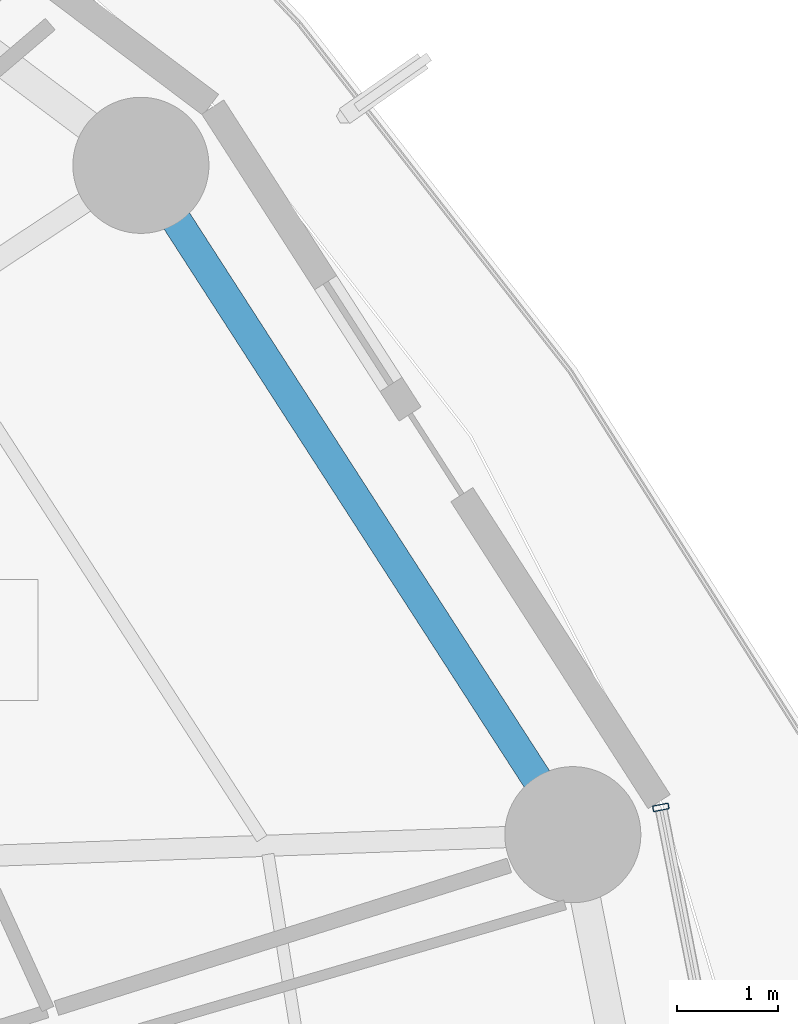
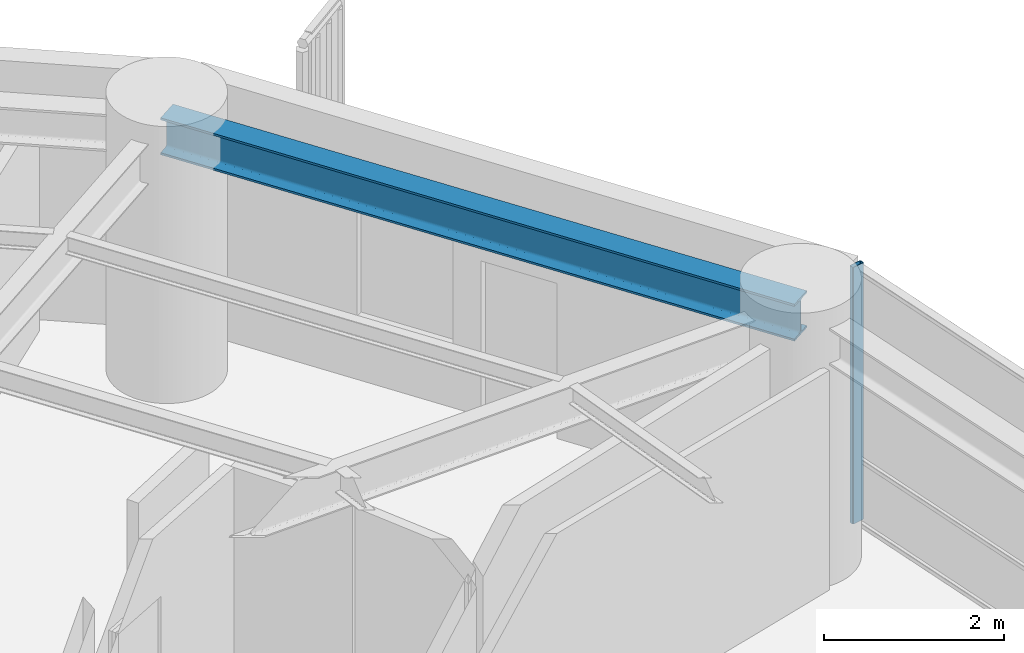
# One storey, part 27 of 37: 1 beam, 1 member, 1 element without a shape of its own.
"""IFC4 building model written with IfcOpenShell, lengths in metres."""

from ifc_helpers import new_model, si_unit, direction, frame, origin, origin_2d, place, context, subcontext, project, spatial, hollow_rectangle, i_section, extrude, material, layer, layer_set, material_profile, profile_set, type_object, element, aggregate, save


model = new_model("IFC4")

# Units and contexts
model_context = context("Model", 3, precision=1e-05, world=origin(), true_north=direction((0.0, 1.0)))
body_context = subcontext(model_context, "Body", "Model", "MODEL_VIEW")
ifc_project = project(units=[si_unit("LENGTHUNIT", "METRE"), si_unit("AREAUNIT", "SQUARE_METRE"), si_unit("VOLUMEUNIT", "CUBIC_METRE"), si_unit("PLANEANGLEUNIT", "RADIAN"), si_unit("MASSUNIT", "GRAM", prefix="KILO")], contexts=[model_context])

# Site, building, storey
site_placement = place(None, origin())
site = spatial("IfcSite", under=ifc_project, at=site_placement, CompositionType="ELEMENT")
building_placement = place(site_placement, origin())
building = spatial("IfcBuilding", under=site, at=building_placement, Name="Kelanora Arch Commons", CompositionType="ELEMENT")
storey_placement = place(building_placement, frame((0.0, 0.0, 113.85009765625)))
storey = spatial("IfcBuildingStorey", under=building, at=storey_placement, Name="L29", CompositionType="ELEMENT", Elevation=113.85009765625)

# Beam
ifc_material_1 = material(Name="Steel S355", Category="steel")
ifc_material_profile_1 = material_profile(ifc_material_1, i_section(OverallWidth=0.300048828125, OverallDepth=0.5, WebThickness=0.014404296875, FlangeThickness=0.028076171875, FilletRadius=0.027099609375, at=origin_2d()), Name="HEB500")
ifc_profile_set_1 = profile_set([ifc_material_profile_1], Name="Steel S355")
beam_type = type_object("IfcBeamType", Name="BM-SPN-Z2", PredefinedType="SPANDREL", material=ifc_profile_set_1)
beam_placement = place(storey_placement, frame((97.191650390625, 65.5517578125, 3.239990234375), z_axis=(-0.542221144054, 0.840235818649, 0.0), x_axis=(-0.840235818649, -0.542221144054, 0.0)))
element("IfcBeam", 1, at=beam_placement, inside=storey, type_object=beam_type, Name="Perimeter Spandrel Beam BS-02 L29", PredefinedType="SPANDREL", context=body_context, shape_type="SweptSolid", body=[
    extrude(i_section(OverallWidth=0.300048828125, OverallDepth=0.5, WebThickness=0.014404296875, FlangeThickness=0.028076171875, FilletRadius=0.027099609375, at=origin_2d()), origin(), (0.0, 0.0, 1.0), 7.90380859375),
])

# Curtain wall, member
ifc_material_2 = material(Name="Terracotta ceramic-fritted low-E glass and aluminium", Category="masonry")
ifc_layer = layer(ifc_material_2, 0.159912109375)
ifc_layer_set = layer_set([ifc_layer], Name="Terracotta ceramic-fritted low-E glass and aluminium")
curtain_wall_type = type_object("IfcCurtainWallType", Name="CW-SYS-01", PredefinedType="NOTDEFINED", material=ifc_layer_set)
curtain_wall_placement = place(storey_placement, origin())
curtain_wall = element("IfcCurtainWall", 2, at=curtain_wall_placement, inside=storey, type_object=curtain_wall_type, Name="Unitised Curtain Wall L29-B00", PredefinedType="NOTDEFINED")
ifc_material_3 = material(Name="Powder-coated aluminium terracotta", Category="masonry")
ifc_material_profile_2 = material_profile(ifc_material_3, hollow_rectangle(XDim=0.159912109375, YDim=0.06005859375, WallThickness=0.0048828125, InnerFilletRadius=0.0048828125, OuterFilletRadius=0.010009765625, at=origin_2d()), Name="CWM160x60")
ifc_profile_set_2 = profile_set([ifc_material_profile_2], Name="Powder-coated aluminium terracotta")
member_type = type_object("IfcMemberType", Name="CWM-STD", PredefinedType="MULLION", material=ifc_profile_set_2)
member_placement = place(storey_placement, frame((98.064697265625, 65.822265625, 0.0), z_axis=(0.0, 0.0, 1.0), x_axis=(-0.981280311646, -0.192584916272, 0.0)))
member = element("IfcMember", 3, at=member_placement, type_object=member_type, Name="CW-01 mullion 3", PredefinedType="MULLION", context=body_context, shape_type="SweptSolid", body=[
    extrude(hollow_rectangle(XDim=0.159912109375, YDim=0.06005859375, WallThickness=0.0048828125, InnerFilletRadius=0.0048828125, OuterFilletRadius=0.010009765625, at=origin_2d()), origin(), (0.0, 0.0, 1.0), 3.474853515625),
])
aggregate(curtain_wall, [member])

save(model, "model.ifc")
